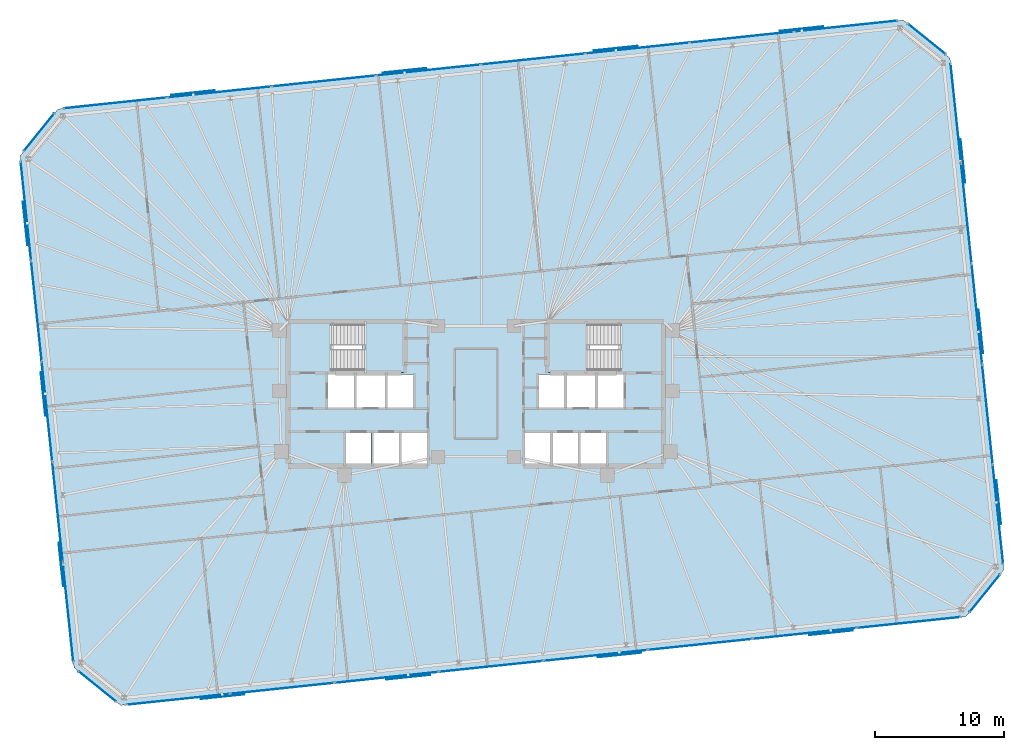
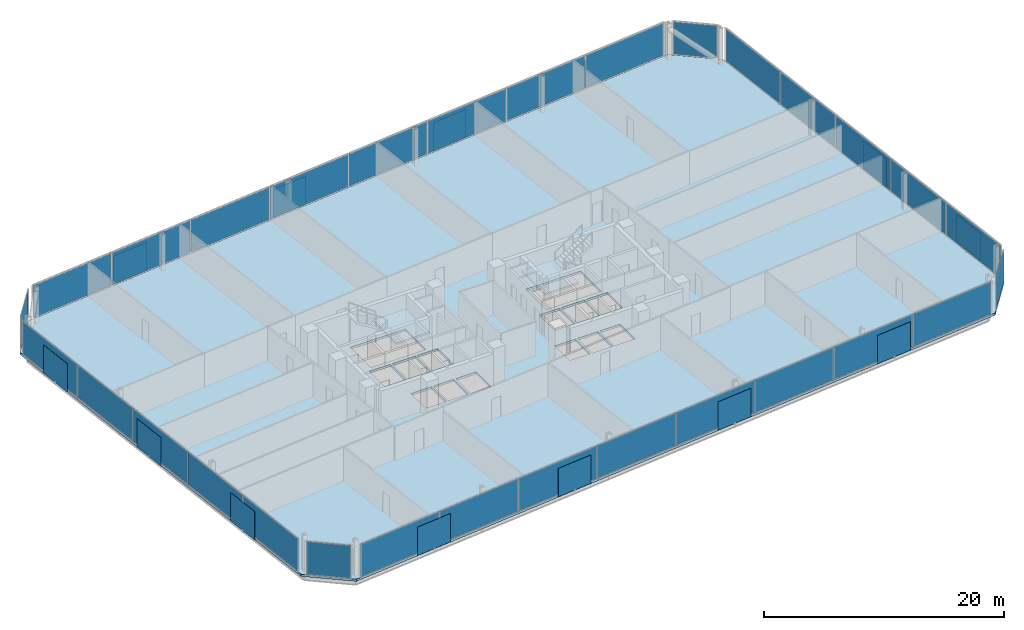
# One storey, part 13 of 18: 44 plates, 3 slabs, 10 elements without a shape of their own.
"""IFC4 building model written with IfcOpenShell, lengths in metres."""

from ifc_helpers import new_model, si_unit, direction, frame, origin, origin_2d, place, context, subcontext, project, spatial, polyline, rectangle, outline, extrude, material, layer, layer_set, type_object, element, aggregate, save


model = new_model("IFC4")

# Units and contexts
model_context = context("Model", 3, precision=1e-05, world=origin(), true_north=direction((0.0, 1.0)))
body_context = subcontext(model_context, "Body", "Model", "MODEL_VIEW")
ifc_project = project(units=[si_unit("LENGTHUNIT", "METRE"), si_unit("AREAUNIT", "SQUARE_METRE"), si_unit("VOLUMEUNIT", "CUBIC_METRE"), si_unit("PLANEANGLEUNIT", "RADIAN"), si_unit("MASSUNIT", "GRAM", prefix="KILO")], contexts=[model_context])

# Site, building, storey
site_placement = place(None, origin())
site = spatial("IfcSite", under=ifc_project, at=site_placement, CompositionType="ELEMENT")
building_placement = place(site_placement, origin())
building = spatial("IfcBuilding", under=site, at=building_placement, Name="Menara Jurai Vektor", CompositionType="ELEMENT")
storey_placement = place(building_placement, frame((0.0, 0.0, 98.5)))
storey = spatial("IfcBuildingStorey", under=building, at=storey_placement, Name="L24", CompositionType="ELEMENT", Elevation=98.5)

# Curtain wall, plates
ifc_material_1 = material(Name="Anodised Pale Aluminium & Low-E Double Glazing", Category="aluminium")
curtain_wall_type = type_object("IfcCurtainWallType", Name="CW-BLK2", PredefinedType="NOTDEFINED", material=ifc_material_1)
curtain_wall_1_placement = place(storey_placement, origin())
curtain_wall_1 = element("IfcCurtainWall", 1, at=curtain_wall_1_placement, inside=storey, type_object=curtain_wall_type, Name="Unitised Curtain Wall L24 F01", PredefinedType="NOTDEFINED")
ifc_material_2 = material(Name="Low-E Solar-Control Double Glazed Unit", Category="glass")
ifc_layer_1 = layer(ifc_material_2, 0.033935546875)
ifc_layer_set_1 = layer_set([ifc_layer_1], Name="Low-E Solar-Control Double Glazed Unit")
plate_type_1 = type_object("IfcPlateType", Name="CW-BLK2-PNL", PredefinedType="CURTAIN_PANEL", material=ifc_layer_set_1)
plate_1_placement = place(storey_placement, frame((-23.090087890625, -23.69921875, 0.090087890625), z_axis=(0.0, 0.0, 1.0), x_axis=(0.994521877325, 0.104528634935, 0.0)))
plate_1 = element("IfcPlate", 2, at=plate_1_placement, type_object=plate_type_1, Name="CW-02 panel 1.1", PredefinedType="CURTAIN_PANEL", context=body_context, shape_type="SweptSolid", body=[
    extrude(rectangle(XDim=8.007568359375, YDim=0.033935546875, at=origin_2d()), origin(), (0.0, 0.0, 1.0), 3.294921875),
])
plate_2_placement = place(storey_placement, frame((-15.014404296875, -22.850341796875, 0.090087890625), z_axis=(0.0, 0.0, 1.0), x_axis=(0.994521877325, 0.104528634935, 0.0)))
plate_2 = element("IfcPlate", 3, at=plate_2_placement, type_object=plate_type_1, Name="CW-02 panel 2.1", PredefinedType="CURTAIN_PANEL", context=body_context, shape_type="SweptSolid", body=[
    extrude(rectangle(XDim=8.052490234375, YDim=0.033935546875, at=origin_2d()), origin(), (0.0, 0.0, 1.0), 3.294921875),
])
plate_3_placement = place(storey_placement, frame((-6.91650390625, -21.999267578125, 0.090087890625), z_axis=(0.0, 0.0, 1.0), x_axis=(0.994521877325, 0.104528634935, 0.0)))
plate_3 = element("IfcPlate", 4, at=plate_3_placement, type_object=plate_type_1, Name="CW-02 panel 3.1", PredefinedType="CURTAIN_PANEL", context=body_context, shape_type="SweptSolid", body=[
    extrude(rectangle(XDim=8.052490234375, YDim=0.033935546875, at=origin_2d()), origin(), (0.0, 0.0, 1.0), 3.294921875),
])
plate_4_placement = place(storey_placement, frame((1.181396484375, -21.148193359375, 0.090087890625), z_axis=(0.0, 0.0, 1.0), x_axis=(0.994521877325, 0.104528634935, 0.0)))
plate_4 = element("IfcPlate", 5, at=plate_4_placement, type_object=plate_type_1, Name="CW-02 panel 4.1", PredefinedType="CURTAIN_PANEL", context=body_context, shape_type="SweptSolid", body=[
    extrude(rectangle(XDim=8.052490234375, YDim=0.033935546875, at=origin_2d()), origin(), (0.0, 0.0, 1.0), 3.294921875),
])
plate_5_placement = place(storey_placement, frame((9.279296875, -20.297119140625, 0.090087890625), z_axis=(0.0, 0.0, 1.0), x_axis=(0.994521877325, 0.104528634935, 0.0)))
plate_5 = element("IfcPlate", 6, at=plate_5_placement, type_object=plate_type_1, Name="CW-02 panel 5.1", PredefinedType="CURTAIN_PANEL", context=body_context, shape_type="SweptSolid", body=[
    extrude(rectangle(XDim=8.052490234375, YDim=0.033935546875, at=origin_2d()), origin(), (0.0, 0.0, 1.0), 3.294921875),
])
plate_6_placement = place(storey_placement, frame((17.377197265625, -19.44580078125, 0.090087890625), z_axis=(0.0, 0.0, 1.0), x_axis=(0.994521877325, 0.104528634935, 0.0)))
plate_6 = element("IfcPlate", 7, at=plate_6_placement, type_object=plate_type_1, Name="CW-02 panel 6.1", PredefinedType="CURTAIN_PANEL", context=body_context, shape_type="SweptSolid", body=[
    extrude(rectangle(XDim=8.052490234375, YDim=0.033935546875, at=origin_2d()), origin(), (0.0, 0.0, 1.0), 3.294921875),
])
plate_7_placement = place(storey_placement, frame((25.47509765625, -18.5947265625, 0.090087890625), z_axis=(0.0, 0.0, 1.0), x_axis=(0.994521877325, 0.104528634935, 0.0)))
plate_7 = element("IfcPlate", 8, at=plate_7_placement, type_object=plate_type_1, Name="CW-02 panel 7.1", PredefinedType="CURTAIN_PANEL", context=body_context, shape_type="SweptSolid", body=[
    extrude(rectangle(XDim=8.052490234375, YDim=0.033935546875, at=origin_2d()), origin(), (0.0, 0.0, 1.0), 3.294921875),
])
plate_8_placement = place(storey_placement, frame((33.550537109375, -17.74609375, 0.090087890625), z_axis=(0.0, 0.0, 1.0), x_axis=(0.994521877325, 0.104528634935, 0.0)))
plate_8 = element("IfcPlate", 9, at=plate_8_placement, type_object=plate_type_1, Name="CW-02 panel 8.1", PredefinedType="CURTAIN_PANEL", context=body_context, shape_type="SweptSolid", body=[
    extrude(rectangle(XDim=8.007568359375, YDim=0.033935546875, at=origin_2d()), origin(), (0.0, 0.0, 1.0), 3.294921875),
])
aggregate(curtain_wall_1, [plate_1, plate_2, plate_3, plate_4, plate_5, plate_6, plate_7, plate_8])

curtain_wall_2_placement = place(storey_placement, origin())
curtain_wall_2 = element("IfcCurtainWall", 10, at=curtain_wall_2_placement, inside=storey, type_object=curtain_wall_type, Name="Unitised Curtain Wall L24 F03", PredefinedType="NOTDEFINED")
plate_9_placement = place(storey_placement, frame((40.485595703125, -9.358642578125, 0.090087890625), z_axis=(0.0, 0.0, 1.0), x_axis=(-0.104529576902, 0.99452177832, 0.0)))
plate_9 = element("IfcPlate", 11, at=plate_9_placement, type_object=plate_type_1, Name="CW-02 panel 1.1", PredefinedType="CURTAIN_PANEL", context=body_context, shape_type="SweptSolid", body=[
    extrude(rectangle(XDim=7.693115234375, YDim=0.033935546875, at=origin_2d()), origin(), (0.0, 0.0, 1.0), 3.294921875),
])
plate_10_placement = place(storey_placement, frame((39.669677734375, -1.595947265625, 0.090087890625), z_axis=(0.0, 0.0, 1.0), x_axis=(-0.104529576902, 0.99452177832, 0.0)))
plate_10 = element("IfcPlate", 12, at=plate_10_placement, type_object=plate_type_1, Name="CW-02 panel 2.1", PredefinedType="CURTAIN_PANEL", context=body_context, shape_type="SweptSolid", body=[
    extrude(rectangle(XDim=7.738037109375, YDim=0.033935546875, at=origin_2d()), origin(), (0.0, 0.0, 1.0), 3.294921875),
])
plate_11_placement = place(storey_placement, frame((38.8515625, 6.189208984375, 0.090087890625), z_axis=(0.0, 0.0, 1.0), x_axis=(-0.104529576902, 0.99452177832, 0.0)))
plate_11 = element("IfcPlate", 13, at=plate_11_placement, type_object=plate_type_1, Name="CW-02 panel 3.1", PredefinedType="CURTAIN_PANEL", context=body_context, shape_type="SweptSolid", body=[
    extrude(rectangle(XDim=7.738037109375, YDim=0.033935546875, at=origin_2d()), origin(), (0.0, 0.0, 1.0), 3.294921875),
])
plate_12_placement = place(storey_placement, frame((38.033203125, 13.974365234375, 0.090087890625), z_axis=(0.0, 0.0, 1.0), x_axis=(-0.104529576902, 0.99452177832, 0.0)))
plate_12 = element("IfcPlate", 14, at=plate_12_placement, type_object=plate_type_1, Name="CW-02 panel 4.1", PredefinedType="CURTAIN_PANEL", context=body_context, shape_type="SweptSolid", body=[
    extrude(rectangle(XDim=7.738037109375, YDim=0.033935546875, at=origin_2d()), origin(), (0.0, 0.0, 1.0), 3.294921875),
])
plate_13_placement = place(storey_placement, frame((37.21728515625, 21.737060546875, 0.090087890625), z_axis=(0.0, 0.0, 1.0), x_axis=(-0.104529576902, 0.99452177832, 0.0)))
plate_13 = element("IfcPlate", 15, at=plate_13_placement, type_object=plate_type_1, Name="CW-02 panel 5.1", PredefinedType="CURTAIN_PANEL", context=body_context, shape_type="SweptSolid", body=[
    extrude(rectangle(XDim=7.693115234375, YDim=0.033935546875, at=origin_2d()), origin(), (0.0, 0.0, 1.0), 3.294921875),
])
aggregate(curtain_wall_2, [plate_9, plate_10, plate_11, plate_12, plate_13])

curtain_wall_3_placement = place(storey_placement, origin())
curtain_wall_3 = element("IfcCurtainWall", 16, at=curtain_wall_3_placement, inside=storey, type_object=curtain_wall_type, Name="Unitised Curtain Wall L24 F05", PredefinedType="NOTDEFINED")
plate_14_placement = place(storey_placement, frame((28.68994140625, 28.499267578125, 0.090087890625), z_axis=(0.0, 0.0, 1.0), x_axis=(-0.994521877325, -0.104528634935, 0.0)))
plate_14 = element("IfcPlate", 17, at=plate_14_placement, type_object=plate_type_1, Name="CW-02 panel 1.1", PredefinedType="CURTAIN_PANEL", context=body_context, shape_type="SweptSolid", body=[
    extrude(rectangle(XDim=8.007568359375, YDim=0.033935546875, at=origin_2d()), origin(), (0.0, 0.0, 1.0), 3.294921875),
])
plate_15_placement = place(storey_placement, frame((20.614501953125, 27.650390625, 0.090087890625), z_axis=(0.0, 0.0, 1.0), x_axis=(-0.994521877325, -0.104528634935, 0.0)))
plate_15 = element("IfcPlate", 18, at=plate_15_placement, type_object=plate_type_1, Name="CW-02 panel 2.1", PredefinedType="CURTAIN_PANEL", context=body_context, shape_type="SweptSolid", body=[
    extrude(rectangle(XDim=8.052490234375, YDim=0.033935546875, at=origin_2d()), origin(), (0.0, 0.0, 1.0), 3.294921875),
])
plate_16_placement = place(storey_placement, frame((12.5166015625, 26.79931640625, 0.090087890625), z_axis=(0.0, 0.0, 1.0), x_axis=(-0.994521877325, -0.104528634935, 0.0)))
plate_16 = element("IfcPlate", 19, at=plate_16_placement, type_object=plate_type_1, Name="CW-02 panel 3.1", PredefinedType="CURTAIN_PANEL", context=body_context, shape_type="SweptSolid", body=[
    extrude(rectangle(XDim=8.052490234375, YDim=0.033935546875, at=origin_2d()), origin(), (0.0, 0.0, 1.0), 3.294921875),
])
plate_17_placement = place(storey_placement, frame((4.418701171875, 25.9482421875, 0.090087890625), z_axis=(0.0, 0.0, 1.0), x_axis=(-0.994521877325, -0.104528634935, 0.0)))
plate_17 = element("IfcPlate", 20, at=plate_17_placement, type_object=plate_type_1, Name="CW-02 panel 4.1", PredefinedType="CURTAIN_PANEL", context=body_context, shape_type="SweptSolid", body=[
    extrude(rectangle(XDim=8.052490234375, YDim=0.033935546875, at=origin_2d()), origin(), (0.0, 0.0, 1.0), 3.294921875),
])
plate_18_placement = place(storey_placement, frame((-3.67919921875, 25.096923828125, 0.090087890625), z_axis=(0.0, 0.0, 1.0), x_axis=(-0.994521877325, -0.104528634935, 0.0)))
plate_18 = element("IfcPlate", 21, at=plate_18_placement, type_object=plate_type_1, Name="CW-02 panel 5.1", PredefinedType="CURTAIN_PANEL", context=body_context, shape_type="SweptSolid", body=[
    extrude(rectangle(XDim=8.052490234375, YDim=0.033935546875, at=origin_2d()), origin(), (0.0, 0.0, 1.0), 3.294921875),
])
plate_19_placement = place(storey_placement, frame((-11.777099609375, 24.245849609375, 0.090087890625), z_axis=(0.0, 0.0, 1.0), x_axis=(-0.994521877325, -0.104528634935, 0.0)))
plate_19 = element("IfcPlate", 22, at=plate_19_placement, type_object=plate_type_1, Name="CW-02 panel 6.1", PredefinedType="CURTAIN_PANEL", context=body_context, shape_type="SweptSolid", body=[
    extrude(rectangle(XDim=8.052490234375, YDim=0.033935546875, at=origin_2d()), origin(), (0.0, 0.0, 1.0), 3.294921875),
])
plate_20_placement = place(storey_placement, frame((-19.875, 23.394775390625, 0.090087890625), z_axis=(0.0, 0.0, 1.0), x_axis=(-0.994521877325, -0.104528634935, 0.0)))
plate_20 = element("IfcPlate", 23, at=plate_20_placement, type_object=plate_type_1, Name="CW-02 panel 7.1", PredefinedType="CURTAIN_PANEL", context=body_context, shape_type="SweptSolid", body=[
    extrude(rectangle(XDim=8.052490234375, YDim=0.033935546875, at=origin_2d()), origin(), (0.0, 0.0, 1.0), 3.294921875),
])
plate_21_placement = place(storey_placement, frame((-27.95068359375, 22.5458984375, 0.090087890625), z_axis=(0.0, 0.0, 1.0), x_axis=(-0.994521877325, -0.104528634935, 0.0)))
plate_21 = element("IfcPlate", 24, at=plate_21_placement, type_object=plate_type_1, Name="CW-02 panel 8.1", PredefinedType="CURTAIN_PANEL", context=body_context, shape_type="SweptSolid", body=[
    extrude(rectangle(XDim=8.007568359375, YDim=0.033935546875, at=origin_2d()), origin(), (0.0, 0.0, 1.0), 3.294921875),
])
aggregate(curtain_wall_3, [plate_14, plate_15, plate_16, plate_17, plate_18, plate_19, plate_20, plate_21])

curtain_wall_4_placement = place(storey_placement, origin())
curtain_wall_4 = element("IfcCurtainWall", 25, at=curtain_wall_4_placement, inside=storey, type_object=curtain_wall_type, Name="Unitised Curtain Wall L24 F07", PredefinedType="NOTDEFINED")
plate_22_placement = place(storey_placement, frame((-34.885498046875, 14.15869140625, 0.090087890625), z_axis=(0.0, 0.0, 1.0), x_axis=(0.104529576902, -0.99452177832, 0.0)))
plate_22 = element("IfcPlate", 26, at=plate_22_placement, type_object=plate_type_1, Name="CW-02 panel 1.1", PredefinedType="CURTAIN_PANEL", context=body_context, shape_type="SweptSolid", body=[
    extrude(rectangle(XDim=7.693115234375, YDim=0.033935546875, at=origin_2d()), origin(), (0.0, 0.0, 1.0), 3.294921875),
])
plate_23_placement = place(storey_placement, frame((-34.06982421875, 6.39599609375, 0.090087890625), z_axis=(0.0, 0.0, 1.0), x_axis=(0.104529576902, -0.99452177832, 0.0)))
plate_23 = element("IfcPlate", 27, at=plate_23_placement, type_object=plate_type_1, Name="CW-02 panel 2.1", PredefinedType="CURTAIN_PANEL", context=body_context, shape_type="SweptSolid", body=[
    extrude(rectangle(XDim=7.738037109375, YDim=0.033935546875, at=origin_2d()), origin(), (0.0, 0.0, 1.0), 3.294921875),
])
plate_24_placement = place(storey_placement, frame((-33.25146484375, -1.38916015625, 0.090087890625), z_axis=(0.0, 0.0, 1.0), x_axis=(0.104529576902, -0.99452177832, 0.0)))
plate_24 = element("IfcPlate", 28, at=plate_24_placement, type_object=plate_type_1, Name="CW-02 panel 3.1", PredefinedType="CURTAIN_PANEL", context=body_context, shape_type="SweptSolid", body=[
    extrude(rectangle(XDim=7.738037109375, YDim=0.033935546875, at=origin_2d()), origin(), (0.0, 0.0, 1.0), 3.294921875),
])
plate_25_placement = place(storey_placement, frame((-32.43310546875, -9.17431640625, 0.090087890625), z_axis=(0.0, 0.0, 1.0), x_axis=(0.104529576902, -0.99452177832, 0.0)))
plate_25 = element("IfcPlate", 29, at=plate_25_placement, type_object=plate_type_1, Name="CW-02 panel 4.1", PredefinedType="CURTAIN_PANEL", context=body_context, shape_type="SweptSolid", body=[
    extrude(rectangle(XDim=7.738037109375, YDim=0.033935546875, at=origin_2d()), origin(), (0.0, 0.0, 1.0), 3.294921875),
])
plate_26_placement = place(storey_placement, frame((-31.6171875, -16.93701171875, 0.090087890625), z_axis=(0.0, 0.0, 1.0), x_axis=(0.104529576902, -0.99452177832, 0.0)))
plate_26 = element("IfcPlate", 30, at=plate_26_placement, type_object=plate_type_1, Name="CW-02 panel 5.1", PredefinedType="CURTAIN_PANEL", context=body_context, shape_type="SweptSolid", body=[
    extrude(rectangle(XDim=7.693115234375, YDim=0.033935546875, at=origin_2d()), origin(), (0.0, 0.0, 1.0), 3.294921875),
])
aggregate(curtain_wall_4, [plate_22, plate_23, plate_24, plate_25, plate_26])

# Curtain wall, plate
curtain_wall_5_placement = place(storey_placement, origin())
curtain_wall_5 = element("IfcCurtainWall", 31, at=curtain_wall_5_placement, inside=storey, type_object=curtain_wall_type, Name="Unitised Curtain Wall L24 F02", PredefinedType="NOTDEFINED")
ifc_material_3 = material(Name="Insulated Pale Aluminium Spandrel Panel", Category="aluminium")
ifc_layer_2 = layer(ifc_material_3, 0.06005859375)
ifc_layer_set_2 = layer_set([ifc_layer_2], Name="Insulated Pale Aluminium Spandrel Panel")
plate_type_2 = type_object("IfcPlateType", Name="CW-PNL-SP", PredefinedType="CURTAIN_PANEL", material=ifc_layer_set_2)
plate_27_placement = place(storey_placement, frame((39.46826171875, -15.465087890625, 0.090087890625), z_axis=(0.0, 0.0, 1.0), x_axis=(0.62934106172, 0.777129222223, 0.0)))
plate_27 = element("IfcPlate", 32, at=plate_27_placement, type_object=plate_type_2, Name="CW-02 panel 1.1", PredefinedType="CURTAIN_PANEL", context=body_context, shape_type="SweptSolid", body=[
    extrude(rectangle(XDim=3.72705078125, YDim=0.06005859375, at=origin_2d()), origin(), (0.0, 0.0, 1.0), 3.294921875),
])
aggregate(curtain_wall_5, [plate_27])

curtain_wall_6_placement = place(storey_placement, origin())
curtain_wall_6 = element("IfcCurtainWall", 33, at=curtain_wall_6_placement, inside=storey, type_object=curtain_wall_type, Name="Unitised Curtain Wall L24 F04", PredefinedType="NOTDEFINED")
plate_28_placement = place(storey_placement, frame((34.95263671875, 27.498291015625, 0.090087890625), z_axis=(0.0, 0.0, 1.0), x_axis=(-0.777151877437, 0.629313085353, 0.0)))
plate_28 = element("IfcPlate", 34, at=plate_28_placement, type_object=plate_type_2, Name="CW-02 panel 1.1", PredefinedType="CURTAIN_PANEL", context=body_context, shape_type="SweptSolid", body=[
    extrude(rectangle(XDim=3.72705078125, YDim=0.06005859375, at=origin_2d()), origin(), (0.0, 0.0, 1.0), 3.294921875),
])
aggregate(curtain_wall_6, [plate_28])

curtain_wall_7_placement = place(storey_placement, origin())
curtain_wall_7 = element("IfcCurtainWall", 35, at=curtain_wall_7_placement, inside=storey, type_object=curtain_wall_type, Name="Unitised Curtain Wall L24 F06", PredefinedType="NOTDEFINED")
plate_29_placement = place(storey_placement, frame((-33.868408203125, 20.264892578125, 0.090087890625), z_axis=(0.0, 0.0, 1.0), x_axis=(-0.62934106172, -0.777129222223, 0.0)))
plate_29 = element("IfcPlate", 36, at=plate_29_placement, type_object=plate_type_2, Name="CW-02 panel 1.1", PredefinedType="CURTAIN_PANEL", context=body_context, shape_type="SweptSolid", body=[
    extrude(rectangle(XDim=3.72705078125, YDim=0.06005859375, at=origin_2d()), origin(), (0.0, 0.0, 1.0), 3.294921875),
])
aggregate(curtain_wall_7, [plate_29])

curtain_wall_8_placement = place(storey_placement, origin())
curtain_wall_8 = element("IfcCurtainWall", 37, at=curtain_wall_8_placement, inside=storey, type_object=curtain_wall_type, Name="Unitised Curtain Wall L24 F08", PredefinedType="NOTDEFINED")
plate_30_placement = place(storey_placement, frame((-29.3525390625, -22.6982421875, 0.090087890625), z_axis=(0.0, 0.0, 1.0), x_axis=(0.777151877437, -0.629313085353, 0.0)))
plate_30 = element("IfcPlate", 38, at=plate_30_placement, type_object=plate_type_2, Name="CW-02 panel 1.1", PredefinedType="CURTAIN_PANEL", context=body_context, shape_type="SweptSolid", body=[
    extrude(rectangle(XDim=3.72705078125, YDim=0.06005859375, at=origin_2d()), origin(), (0.0, 0.0, 1.0), 3.294921875),
])
aggregate(curtain_wall_8, [plate_30])

# Plates
ifc_material_4 = material(Name="Anodised Pale Aluminium Perforated Screen", Category="aluminium")
ifc_layer_3 = layer(ifc_material_4, 0.02392578125)
ifc_layer_set_3 = layer_set([ifc_layer_3], Name="Anodised Pale Aluminium Perforated Screen")
plate_type_3 = type_object("IfcPlateType", Name="ENV-PLT-SCREEN", PredefinedType="USERDEFINED", material=ifc_layer_set_3)
for number, where, z_axis, x_axis, name in (
    (39, (-19.65771484375, -23.499267578125, -0.050048828125), (0.0, 0.0, 1.0), (0.994521895368, 0.104528463268, 0.0), "Perforated Pale-Metal Solar Screen L24-S01"),
    (40, (-5.2392578125, -21.98388671875, -0.050048828125), (0.0, 0.0, 1.0), (0.994521895368, 0.104528463268, 0.0), "Perforated Pale-Metal Solar Screen L24-S02"),
    (41, (11.1455078125, -20.26171875, -0.050048828125), (0.0, 0.0, 1.0), (0.994521895368, 0.104528463268, 0.0), "Perforated Pale-Metal Solar Screen L24-S03"),
    (42, (27.5302734375, -18.539794921875, -0.050048828125), (0.0, 0.0, 1.0), (0.994521895368, 0.104528463268, 0.0), "Perforated Pale-Metal Solar Screen L24-S04"),
    (43, (40.546875, -8.41015625, -0.050048828125), (0.0, 0.0, 1.0), (-0.104528463268, 0.994521895368, 0.0), "Perforated Pale-Metal Solar Screen L24-S05"),
    (44, (39.156494140625, 4.81689453125, -0.050048828125), (0.0, 0.0, 1.0), (-0.104528463268, 0.994521895368, 0.0), "Perforated Pale-Metal Solar Screen L24-S06"),
    (45, (37.766357421875, 18.044189453125, -0.050048828125), (0.0, 0.0, 1.0), (-0.104528463268, 0.994521895368, 0.0), "Perforated Pale-Metal Solar Screen L24-S07"),
    (46, (25.2578125, 28.29931640625, -0.050048828125), (0.0, 0.0, 1.0), (-0.994521895368, -0.104528463268, 0.0), "Perforated Pale-Metal Solar Screen L24-S08"),
    (47, (10.839111328125, 26.783935546875, -0.050048828125), (0.0, 0.0, 1.0), (-0.994521895368, -0.104528463268, 0.0), "Perforated Pale-Metal Solar Screen L24-S09"),
    (48, (-5.54541015625, 25.061767578125, -0.050048828125), (0.0, 0.0, 1.0), (-0.994521895368, -0.104528463268, 0.0), "Perforated Pale-Metal Solar Screen L24-S10"),
    (49, (-21.930419921875, 23.339599609375, -0.050048828125), (0.0, 0.0, 1.0), (-0.994521895368, -0.104528463268, 0.0), "Perforated Pale-Metal Solar Screen L24-S11"),
    (50, (-34.94677734375, 13.210205078125, -0.050048828125), (0.0, 0.0, 1.0), (0.104528463268, -0.994521895368, 0.0), "Perforated Pale-Metal Solar Screen L24-S12"),
    (51, (-33.556396484375, -0.01708984375, -0.050048828125), (0.0, 0.0, 1.0), (0.104528463268, -0.994521895368, 0.0), "Perforated Pale-Metal Solar Screen L24-S13"),
    (52, (-32.166259765625, -13.244140625, -0.050048828125), (0.0, 0.0, 1.0), (0.104528463268, -0.994521895368, 0.0), "Perforated Pale-Metal Solar Screen L24-S14"),
):
    element("IfcPlate", number, at=place(storey_placement, frame(where, z_axis=z_axis, x_axis=x_axis)), inside=storey, type_object=plate_type_3, Name=name, ObjectType="SCREEN", PredefinedType="USERDEFINED", context=body_context, shape_type="SweptSolid", body=[
        extrude(rectangle(XDim=3.39990234375, YDim=0.02392578125, at=origin_2d()), origin(), (0.0, 0.0, 1.0), 2.89990234375),
    ])

# Stair, slab
ifc_material_5 = material(Name="Concrete C40/50", Category="concrete")
stair_type = type_object("IfcStairType", Name="STAIR-DOGLEG-1500", PredefinedType="HALF_TURN_STAIR", material=ifc_material_5)
stair_1_placement = place(storey_placement, origin())
stair_1 = element("IfcStair", 53, at=stair_1_placement, inside=storey, type_object=stair_type, Name="Protected Exit Stair ST1 L24", PredefinedType="HALF_TURN_STAIR")
ifc_layer_4 = layer(ifc_material_5, 0.199951171875)
ifc_layer_set_4 = layer_set([ifc_layer_4], Name="Concrete C40/50")
slab_type_1 = type_object("IfcSlabType", Name="STAIR-LANDING-200", PredefinedType="LANDING", material=ifc_layer_set_4)
slab_1_placement = place(storey_placement, frame((0.0, 0.0, 1.64990234375)))
slab_1 = element("IfcSlab", 54, at=slab_1_placement, type_object=slab_type_1, Name="ST1 landing 1", PredefinedType="LANDING", context=body_context, shape_type="SweptSolid", body=[
    extrude(outline(polyline([(-8.800048828125, 1.64990234375), (-5.550048828125, 1.64990234375), (-5.550048828125, 5.550048828125), (-8.800048828125, 5.550048828125), (-8.800048828125, 1.64990234375)])), origin(), (0.0, 0.0, 1.0), 0.2001953125),
])
aggregate(stair_1, [slab_1])

stair_2_placement = place(storey_placement, origin())
stair_2 = element("IfcStair", 55, at=stair_2_placement, inside=storey, type_object=stair_type, Name="Protected Exit Stair ST2 L24", PredefinedType="HALF_TURN_STAIR")
slab_2_placement = place(storey_placement, frame((0.0, 0.0, 1.64990234375)))
slab_2 = element("IfcSlab", 56, at=slab_2_placement, type_object=slab_type_1, Name="ST2 landing 1", PredefinedType="LANDING", context=body_context, shape_type="SweptSolid", body=[
    extrude(outline(polyline([(5.550048828125, 1.64990234375), (8.800048828125, 1.64990234375), (8.800048828125, 5.550048828125), (5.550048828125, 5.550048828125), (5.550048828125, 1.64990234375)])), origin(), (0.0, 0.0, 1.0), 0.2001953125),
])
aggregate(stair_2, [slab_2])

# Slab
ifc_layer_5 = layer(ifc_material_5, 0.22509765625)
ifc_layer_set_5 = layer_set([ifc_layer_5], Name="Concrete C40/50")
slab_type_2 = type_object("IfcSlabType", Name="STR-SLAB-TYP200", PredefinedType="FLOOR", material=ifc_layer_set_5)
slab_3_placement = place(storey_placement, frame((0.0, 0.0, -0.22509765625)))
element("IfcSlab", 57, at=slab_3_placement, inside=storey, type_object=slab_type_2, Name="Composite Floor Slab L24", PredefinedType="FLOOR", context=body_context, shape_type="SweptSolid", body=[
    extrude(outline(polyline([(-27.539306640625, -24.166748046875), (37.999755859375, -17.2783203125), (40.936767578125, -13.651611328125), (36.76611328125, 26.02978515625), (33.13916015625, 28.966796875), (-32.39990234375, 22.078369140625), (-35.3369140625, 18.45166015625), (-31.166015625, -21.22998046875), (-27.539306640625, -24.166748046875)]), holes=[polyline([(-11.10009765625, 1.89990234375), (-11.10009765625, 5.300048828125), (-5.800048828125, 5.300048828125), (-5.800048828125, 1.89990234375), (-11.10009765625, 1.89990234375)]), polyline([(5.800048828125, 1.89990234375), (5.800048828125, 5.300048828125), (11.10009765625, 5.300048828125), (11.10009765625, 1.89990234375), (5.800048828125, 1.89990234375)]), polyline([(-11.449951171875, -1.050048828125), (-11.449951171875, 1.5), (-9.449951171875, 1.5), (-9.449951171875, -1.050048828125), (-11.449951171875, -1.050048828125)]), polyline([(9.449951171875, -1.050048828125), (9.449951171875, 1.5), (11.449951171875, 1.5), (11.449951171875, -1.050048828125), (9.449951171875, -1.050048828125)]), polyline([(-5.760009765625, -5.5), (-5.760009765625, -3.050048828125), (-3.800048828125, -3.050048828125), (-3.800048828125, -5.5), (-5.760009765625, -5.5)]), polyline([(-6.85009765625, -1.050048828125), (-6.85009765625, 1.5), (-4.889892578125, 1.5), (-4.889892578125, -1.050048828125), (-6.85009765625, -1.050048828125)]), polyline([(3.800048828125, -5.5), (3.800048828125, -3.050048828125), (5.760009765625, -3.050048828125), (5.760009765625, -5.5), (3.800048828125, -5.5)]), polyline([(4.889892578125, -1.050048828125), (4.889892578125, 1.5), (6.85009765625, 1.5), (6.85009765625, -1.050048828125), (4.889892578125, -1.050048828125)]), polyline([(-10.080078125, -5.5), (-10.080078125, -3.050048828125), (-8.1201171875, -3.050048828125), (-8.1201171875, -5.5), (-10.080078125, -5.5)]), polyline([(-7.919921875, -5.5), (-7.919921875, -3.050048828125), (-5.9599609375, -3.050048828125), (-5.9599609375, -5.5), (-7.919921875, -5.5)]), polyline([(5.9599609375, -5.5), (5.9599609375, -3.050048828125), (7.919921875, -3.050048828125), (7.919921875, -5.5), (5.9599609375, -5.5)]), polyline([(8.1201171875, -5.5), (8.1201171875, -3.050048828125), (10.080078125, -3.050048828125), (10.080078125, -5.5), (8.1201171875, -5.5)]), polyline([(-9.25, -1.050048828125), (-9.25, 1.5), (-7.050048828125, 1.5), (-7.050048828125, -1.050048828125), (-9.25, -1.050048828125)]), polyline([(7.050048828125, -1.050048828125), (7.050048828125, 1.5), (9.25, 1.5), (9.25, -1.050048828125), (7.050048828125, -1.050048828125)])]), origin(), (0.0, 0.0, 1.0), 0.22509765625),
])

save(model, "model.ifc")
